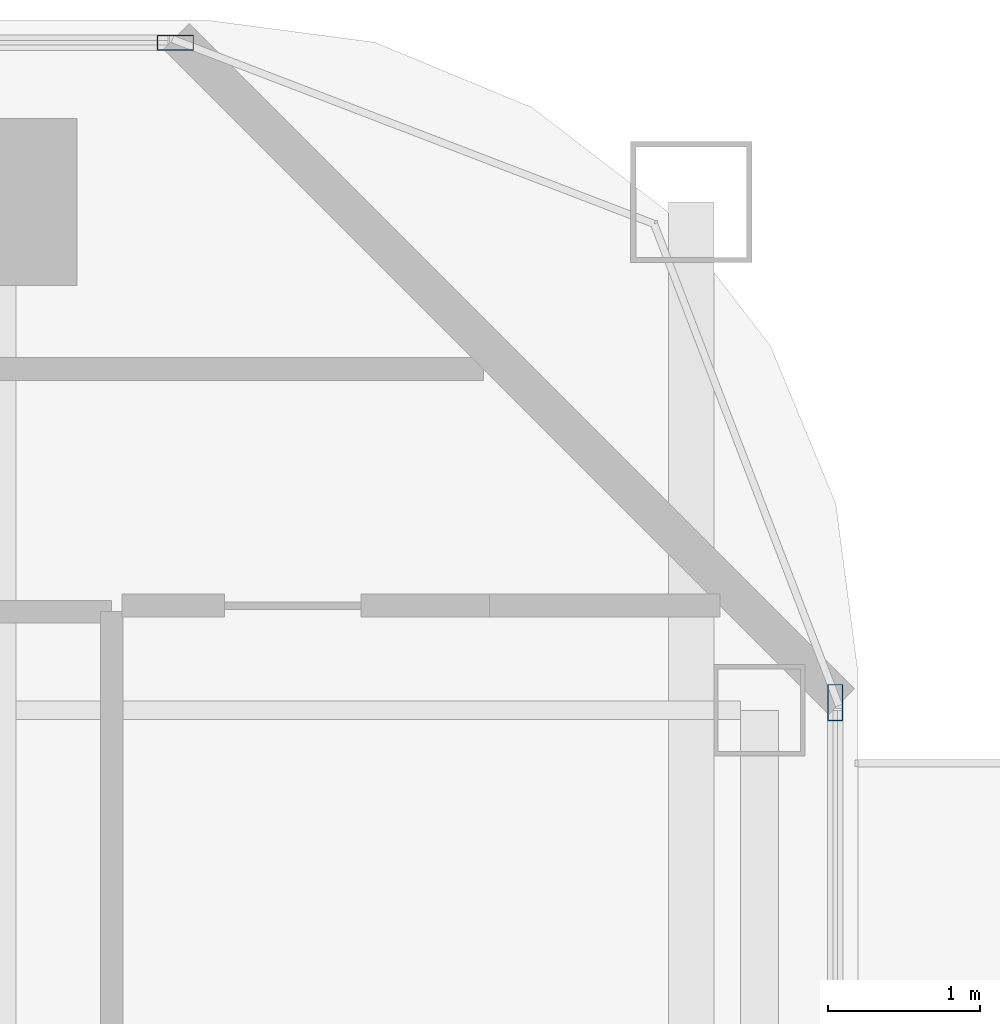
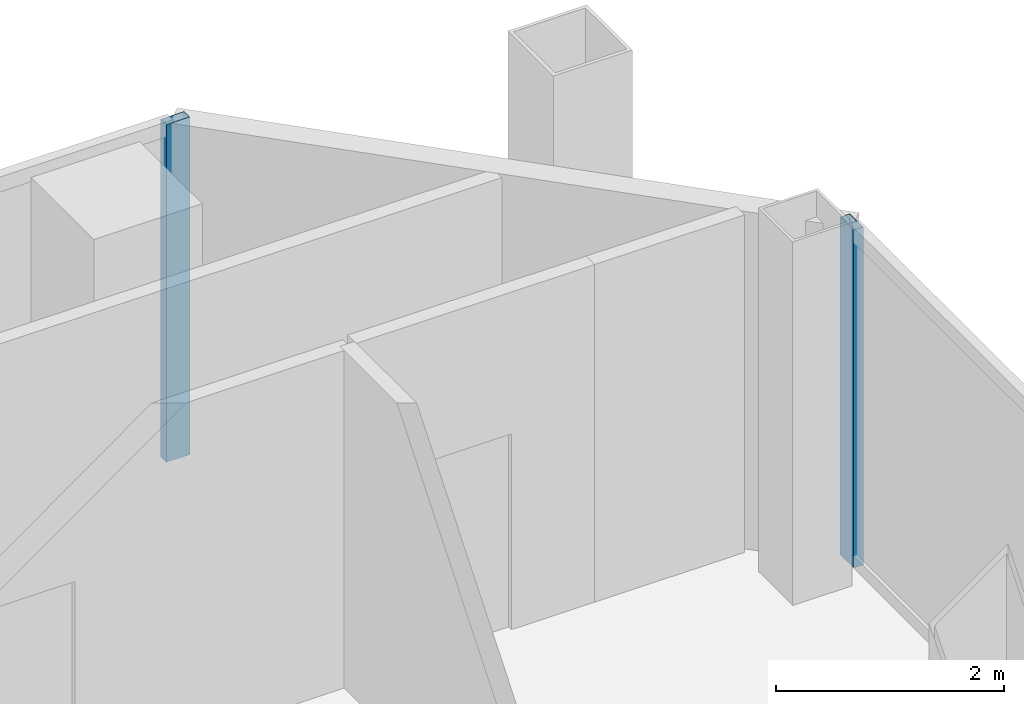
# One storey, part 15 of 23: 2 members, 2 elements without a shape of their own.
"""IFC4 building model written with IfcOpenShell, lengths in metres."""

from ifc_helpers import new_model, si_unit, direction, frame, origin, origin_2d, place, context, subcontext, project, spatial, hollow_rectangle, extrude, material, layer, layer_set, material_profile, profile_set, type_object, element, aggregate, save


model = new_model("IFC4")

# Units and contexts
model_context = context("Model", 3, precision=1e-05, world=origin(), true_north=direction((0.0, 1.0)))
body_context = subcontext(model_context, "Body", "Model", "MODEL_VIEW")
ifc_project = project(units=[si_unit("LENGTHUNIT", "METRE"), si_unit("AREAUNIT", "SQUARE_METRE"), si_unit("VOLUMEUNIT", "CUBIC_METRE"), si_unit("PLANEANGLEUNIT", "RADIAN"), si_unit("MASSUNIT", "GRAM", prefix="KILO")], contexts=[model_context])

# Site, building, storey
site_placement = place(None, origin())
site = spatial("IfcSite", under=ifc_project, at=site_placement, CompositionType="ELEMENT")
building_placement = place(site_placement, origin())
building = spatial("IfcBuilding", under=site, at=building_placement, Name="Khorvyn Point Tower", CompositionType="ELEMENT")
storey_placement = place(building_placement, frame((0.0, 0.0, 207.0)))
storey = spatial("IfcBuildingStorey", under=building, at=storey_placement, Name="L51", CompositionType="ELEMENT", Elevation=207.0)

# Curtain wall, member
ifc_material_1 = material(Name="Anodised aluminium 6063-T6 and laminated Low-E glass", Category="aluminium")
ifc_layer = layer(ifc_material_1, 0.18994140625)
ifc_layer_set = layer_set([ifc_layer], Name="Stick-Built Acoustic Curtain Wall CW-SYS-03")
curtain_wall_type = type_object("IfcCurtainWallType", Name="Stick-Built Acoustic Curtain Wall CW-SYS-03", PredefinedType="NOTDEFINED", material=ifc_layer_set)
curtain_wall_1_placement = place(storey_placement, origin())
curtain_wall_1 = element("IfcCurtainWall", 1, at=curtain_wall_1_placement, inside=storey, type_object=curtain_wall_type, Name="Curtain Wall", PredefinedType="NOTDEFINED")
ifc_material_2 = material(Name="Anodised aluminium 6063-T6", Category="aluminium")
ifc_material_profile = material_profile(ifc_material_2, hollow_rectangle(XDim=0.10009765625, YDim=0.239990234375, WallThickness=0.0048828125, at=origin_2d()))
ifc_profile_set = profile_set([ifc_material_profile], Name="Anodised aluminium 6063-T6 ALU-MUL-100x240")
member_type = type_object("IfcMemberType", Name="Anodised Aluminium 6063-T6 Mullion ALU-MUL-100x240", PredefinedType="MULLION", material=ifc_profile_set)
member_1_placement = place(storey_placement, frame((16.0, 15.85009765625, 0.0), z_axis=(0.0, 0.0, 1.0), x_axis=(0.0, 1.0, 0.0)))
member_1 = element("IfcMember", 2, at=member_1_placement, type_object=member_type, Name="Transom", PredefinedType="MULLION", context=body_context, shape_type="SweptSolid", body=[
    extrude(hollow_rectangle(XDim=0.10009765625, YDim=0.239990234375, WallThickness=0.0048828125, at=origin_2d()), origin(), (0.0, 0.0, 1.0), 3.6201171875),
])
aggregate(curtain_wall_1, [member_1])

curtain_wall_2_placement = place(storey_placement, origin())
curtain_wall_2 = element("IfcCurtainWall", 3, at=curtain_wall_2_placement, inside=storey, type_object=curtain_wall_type, Name="Curtain Wall", PredefinedType="NOTDEFINED")
member_2_placement = place(storey_placement, frame((20.35009765625, 11.5, 0.0), z_axis=(0.0, 0.0, 1.0), x_axis=(1.0, 0.0, 0.0)))
member_2 = element("IfcMember", 4, at=member_2_placement, type_object=member_type, Name="Transom", PredefinedType="MULLION", context=body_context, shape_type="SweptSolid", body=[
    extrude(hollow_rectangle(XDim=0.10009765625, YDim=0.239990234375, WallThickness=0.0048828125, at=origin_2d()), origin(), (0.0, 0.0, 1.0), 3.6201171875),
])
aggregate(curtain_wall_2, [member_2])

save(model, "model.ifc")
